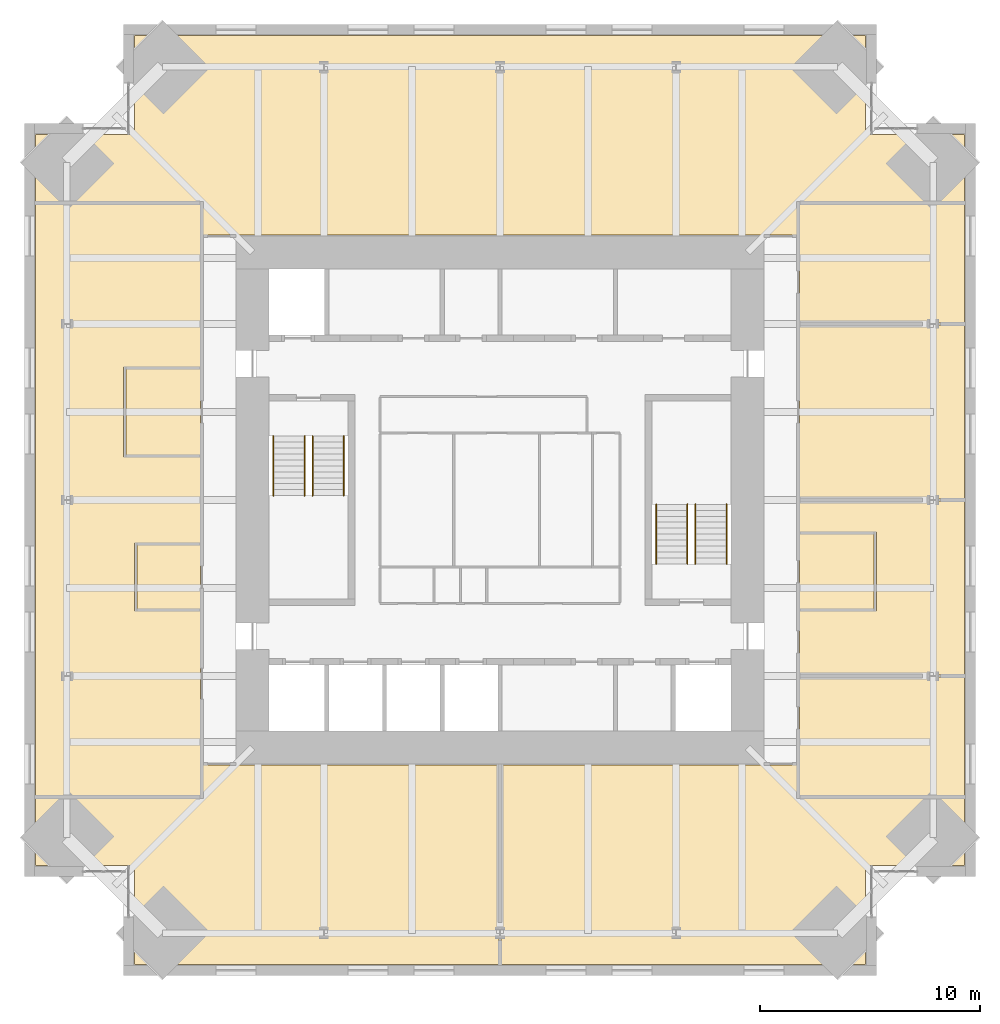
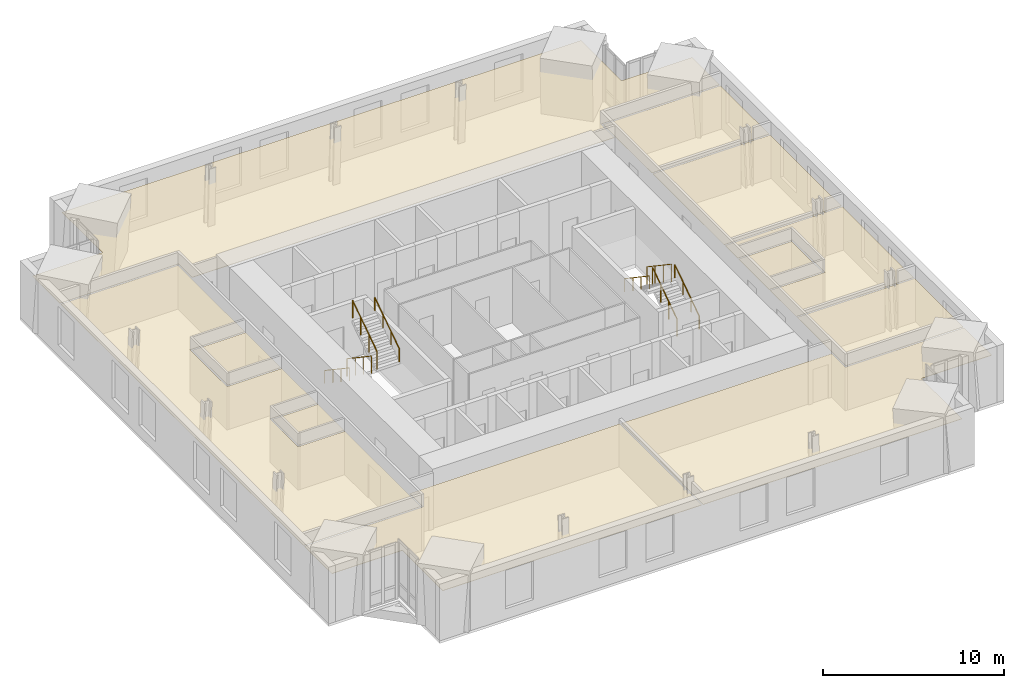
# One storey, part 16 of 16: 11 coverings, 8 railings.
"""IFC4 building model written with IfcOpenShell, lengths in metres."""

from ifc_helpers import new_model, si_unit, direction, frame, origin, origin_2d, place, context, subcontext, project, spatial, polyline, circle, outline, extrude, material, layer, layer_set, type_object, element, save


model = new_model("IFC4")

# Units and contexts
model_context = context("Model", 3, precision=1e-05, world=origin(), true_north=direction((0.0, 1.0)))
body_context = subcontext(model_context, "Body", "Model", "MODEL_VIEW")
ifc_project = project(units=[si_unit("LENGTHUNIT", "METRE"), si_unit("AREAUNIT", "SQUARE_METRE"), si_unit("VOLUMEUNIT", "CUBIC_METRE"), si_unit("PLANEANGLEUNIT", "RADIAN"), si_unit("MASSUNIT", "GRAM", prefix="KILO")], contexts=[model_context])

# Site, building, storey
site_placement = place(None, origin())
site = spatial("IfcSite", under=ifc_project, at=site_placement, CompositionType="ELEMENT")
building_placement = place(site_placement, origin())
building = spatial("IfcBuilding", under=site, at=building_placement, Name="Peilmerk Tower", CompositionType="ELEMENT")
storey_placement = place(building_placement, frame((0.0, 0.0, 277.800048828125)))
storey = spatial("IfcBuildingStorey", under=building, at=storey_placement, Name="L62", CompositionType="ELEMENT", Elevation=277.800048828125)

# Coverings
ifc_material_1 = material(Name="Mineral fibre ceiling tiles", Category="mineral")
ifc_layer = layer(ifc_material_1, 0.02490234375)
ifc_layer_set = layer_set([ifc_layer], Name="Mineral fibre ceiling tiles")
covering_type = type_object("IfcCoveringType", Name="CL1 25 suspended ceiling", PredefinedType="CEILING", material=ifc_layer_set)
covering_1_placement = place(storey_placement, frame((0.0, 0.0, 2.905029296875)))
element("IfcCovering", 1, at=covering_1_placement, inside=storey, type_object=covering_type, Name="Suspended ceiling Client suite", PredefinedType="CEILING", context=body_context, shape_type="SweptSolid", body=[
    extrude(outline(polyline([(-21.10009765625, 16.60009765625), (-21.10009765625, 13.550048828125), (-13.5, 13.550048828125), (-13.5, 12.050048828125), (13.5, 12.050048828125), (13.5, 13.550048828125), (21.10009765625, 13.550048828125), (21.10009765625, 16.60009765625), (16.60009765625, 16.60009765625), (16.60009765625, 21.10009765625), (-16.60009765625, 21.10009765625), (-16.60009765625, 16.60009765625), (-21.10009765625, 16.60009765625)])), origin(), (0.0, 0.0, 1.0), 0.02490234375),
])
covering_2_placement = place(storey_placement, frame((0.0, 0.0, 2.905029296875)))
element("IfcCovering", 2, at=covering_2_placement, inside=storey, type_object=covering_type, Name="Suspended ceiling Open workspace", PredefinedType="CEILING", context=body_context, shape_type="SweptSolid", body=[
    extrude(outline(polyline([(-16.60009765625, -21.10009765625), (-0.050048828125, -21.10009765625), (-0.050048828125, -12.050048828125), (-13.5, -12.050048828125), (-13.5, -13.550048828125), (-21.10009765625, -13.550048828125), (-21.10009765625, -16.60009765625), (-16.60009765625, -16.60009765625), (-16.60009765625, -21.10009765625)])), origin(), (0.0, 0.0, 1.0), 0.02490234375),
])
covering_3_placement = place(storey_placement, frame((0.0, 0.0, 2.905029296875)))
element("IfcCovering", 3, at=covering_3_placement, inside=storey, type_object=covering_type, Name="Suspended ceiling Client suite", PredefinedType="CEILING", context=body_context, shape_type="SweptSolid", body=[
    extrude(outline(polyline([(0.050048828125, -21.10009765625), (16.60009765625, -21.10009765625), (16.60009765625, -16.60009765625), (21.10009765625, -16.60009765625), (21.10009765625, -13.550048828125), (13.5, -13.550048828125), (13.5, -12.050048828125), (0.050048828125, -12.050048828125), (0.050048828125, -21.10009765625)])), origin(), (0.0, 0.0, 1.0), 0.02490234375),
])
covering_4_placement = place(storey_placement, frame((0.0, 0.0, 2.905029296875)))
element("IfcCovering", 4, at=covering_4_placement, inside=storey, type_object=covering_type, Name="Suspended ceiling Executive office", PredefinedType="CEILING", context=body_context, shape_type="SweptSolid", body=[
    extrude(outline(polyline([(21.10009765625, -13.449951171875), (21.10009765625, -8.050048828125), (13.60009765625, -8.050048828125), (13.60009765625, -13.449951171875), (21.10009765625, -13.449951171875)])), origin(), (0.0, 0.0, 1.0), 0.02490234375),
])
covering_5_placement = place(storey_placement, frame((0.0, 0.0, 2.905029296875)))
element("IfcCovering", 5, at=covering_5_placement, inside=storey, type_object=covering_type, Name="Suspended ceiling Executive office", PredefinedType="CEILING", context=body_context, shape_type="SweptSolid", body=[
    extrude(outline(polyline([(13.60009765625, -7.949951171875), (21.10009765625, -7.949951171875), (21.10009765625, -0.050048828125), (13.60009765625, -0.050048828125), (13.60009765625, -1.449951171875), (17.10009765625, -1.449951171875), (17.10009765625, -5.050048828125), (13.60009765625, -5.050048828125), (13.60009765625, -7.949951171875)])), origin(), (0.0, 0.0, 1.0), 0.02490234375),
])
covering_6_placement = place(storey_placement, frame((0.0, 0.0, 2.905029296875)))
element("IfcCovering", 6, at=covering_6_placement, inside=storey, type_object=covering_type, Name="Suspended ceiling Executive office", PredefinedType="CEILING", context=body_context, shape_type="SweptSolid", body=[
    extrude(outline(polyline([(21.10009765625, 0.050048828125), (21.10009765625, 7.949951171875), (13.60009765625, 7.949951171875), (13.60009765625, 0.050048828125), (21.10009765625, 0.050048828125)])), origin(), (0.0, 0.0, 1.0), 0.02490234375),
])
covering_7_placement = place(storey_placement, frame((0.0, 0.0, 2.905029296875)))
element("IfcCovering", 7, at=covering_7_placement, inside=storey, type_object=covering_type, Name="Suspended ceiling Executive office", PredefinedType="CEILING", context=body_context, shape_type="SweptSolid", body=[
    extrude(outline(polyline([(21.10009765625, 8.050048828125), (21.10009765625, 13.449951171875), (13.60009765625, 13.449951171875), (13.60009765625, 8.050048828125), (21.10009765625, 8.050048828125)])), origin(), (0.0, 0.0, 1.0), 0.02490234375),
])
covering_8_placement = place(storey_placement, frame((0.0, 0.0, 2.905029296875)))
element("IfcCovering", 8, at=covering_8_placement, inside=storey, type_object=covering_type, Name="Suspended ceiling Pantry", PredefinedType="CEILING", context=body_context, shape_type="SweptSolid", body=[
    extrude(outline(polyline([(17.0, -4.949951171875), (17.0, -1.550048828125), (13.60009765625, -1.550048828125), (13.60009765625, -4.949951171875), (17.0, -4.949951171875)])), origin(), (0.0, 0.0, 1.0), 0.02490234375),
])
covering_9_placement = place(storey_placement, frame((0.0, 0.0, 2.905029296875)))
element("IfcCovering", 9, at=covering_9_placement, inside=storey, type_object=covering_type, Name="Suspended ceiling Client suite", PredefinedType="CEILING", context=body_context, shape_type="SweptSolid", body=[
    extrude(outline(polyline([(-13.60009765625, 13.449951171875), (-21.10009765625, 13.449951171875), (-21.10009765625, -13.449951171875), (-13.60009765625, -13.449951171875), (-13.60009765625, -5.050048828125), (-16.60009765625, -5.050048828125), (-16.60009765625, -1.949951171875), (-13.60009765625, -1.949951171875), (-13.60009765625, 1.949951171875), (-17.10009765625, 1.949951171875), (-17.10009765625, 6.050048828125), (-13.60009765625, 6.050048828125), (-13.60009765625, 13.449951171875)])), origin(), (0.0, 0.0, 1.0), 0.02490234375),
])
covering_10_placement = place(storey_placement, frame((0.0, 0.0, 2.905029296875)))
element("IfcCovering", 10, at=covering_10_placement, inside=storey, type_object=covering_type, Name="Suspended ceiling Meeting room", PredefinedType="CEILING", context=body_context, shape_type="SweptSolid", body=[
    extrude(outline(polyline([(-13.60009765625, 2.050048828125), (-13.60009765625, 5.949951171875), (-17.0, 5.949951171875), (-17.0, 2.050048828125), (-13.60009765625, 2.050048828125)])), origin(), (0.0, 0.0, 1.0), 0.02490234375),
])
covering_11_placement = place(storey_placement, frame((0.0, 0.0, 2.905029296875)))
element("IfcCovering", 11, at=covering_11_placement, inside=storey, type_object=covering_type, Name="Suspended ceiling Quiet room", PredefinedType="CEILING", context=body_context, shape_type="SweptSolid", body=[
    extrude(outline(polyline([(-13.60009765625, -4.949951171875), (-13.60009765625, -2.050048828125), (-16.5, -2.050048828125), (-16.5, -4.949951171875), (-13.60009765625, -4.949951171875)])), origin(), (0.0, 0.0, 1.0), 0.02490234375),
])

# Railings
ifc_material_2 = material(Name="Steel flat bar balustrade", Category="steel")
railing_type_1 = type_object("IfcRailingType", Name="GR1 1200 stair guard", PredefinedType="GUARDRAIL", material=ifc_material_2)
railing_1_placement = place(storey_placement, frame((-8.8798828125, 2.89990234375, 0.181884765625)))
element("IfcRailing", 12, at=railing_1_placement, inside=storey, type_object=railing_type_1, Name="Guard stair 1 L62", PredefinedType="GUARDRAIL", context=body_context, shape_type="SweptSolid", body=[
    extrude(circle(Radius=0.02392578125, at=origin_2d()), frame((0.0, 0.0, 1.17578125), z_axis=(0.0, -0.829468130872, 0.55855404382), x_axis=(1.0, 0.0, 0.0)), (0.0, 0.0, 1.0), 3.255126953125),
    extrude(circle(Radius=0.02099609375, at=origin_2d()), origin(), (0.0, 0.0, 1.0), 1.15185546875),
    extrude(circle(Radius=0.02099609375, at=origin_2d()), frame((0.0, -0.89990234375, 0.60595703125)), (0.0, 0.0, 1.0), 1.15185546875),
    extrude(circle(Radius=0.02099609375, at=origin_2d()), frame((0.0, -1.800048828125, 1.212158203125)), (0.0, 0.0, 1.0), 1.15185546875),
    extrude(circle(Radius=0.02099609375, at=origin_2d()), frame((0.0, -2.699951171875, 1.818115234375)), (0.0, 0.0, 1.0), 1.15185546875),
])
for number, where, name in (
    (13, (-8.52001953125, 0.199951171875, 2.181884765625), "Guard stair 1 L62"),
    (14, (8.8798828125, -2.89990234375, 0.181884765625), "Guard stair 2 L62"),
):
    element("IfcRailing", number, at=place(storey_placement, frame(where)), inside=storey, type_object=railing_type_1, Name=name, PredefinedType="GUARDRAIL", context=body_context, shape_type="SweptSolid", body=[
        extrude(circle(Radius=0.02392578125, at=origin_2d()), frame((0.0, 0.0, 1.17578125), z_axis=(0.0, 0.829468130872, 0.55855404382), x_axis=(-1.0, 0.0, 0.0)), (0.0, 0.0, 1.0), 3.255126953125),
        extrude(circle(Radius=0.02099609375, at=origin_2d()), origin(), (0.0, 0.0, 1.0), 1.15185546875),
        extrude(circle(Radius=0.02099609375, at=origin_2d()), frame((0.0, 0.89990234375, 0.60595703125)), (0.0, 0.0, 1.0), 1.15185546875),
        extrude(circle(Radius=0.02099609375, at=origin_2d()), frame((0.0, 1.800048828125, 1.212158203125)), (0.0, 0.0, 1.0), 1.15185546875),
        extrude(circle(Radius=0.02099609375, at=origin_2d()), frame((0.0, 2.699951171875, 1.818115234375)), (0.0, 0.0, 1.0), 1.15185546875),
    ])
railing_2_placement = place(storey_placement, frame((8.52001953125, -0.199951171875, 2.181884765625)))
element("IfcRailing", 15, at=railing_2_placement, inside=storey, type_object=railing_type_1, Name="Guard stair 2 L62", PredefinedType="GUARDRAIL", context=body_context, shape_type="SweptSolid", body=[
    extrude(circle(Radius=0.02392578125, at=origin_2d()), frame((0.0, 0.0, 1.17578125), z_axis=(0.0, -0.829468130872, 0.55855404382), x_axis=(1.0, 0.0, 0.0)), (0.0, 0.0, 1.0), 3.255126953125),
    extrude(circle(Radius=0.02099609375, at=origin_2d()), origin(), (0.0, 0.0, 1.0), 1.15185546875),
    extrude(circle(Radius=0.02099609375, at=origin_2d()), frame((0.0, -0.89990234375, 0.60595703125)), (0.0, 0.0, 1.0), 1.15185546875),
    extrude(circle(Radius=0.02099609375, at=origin_2d()), frame((0.0, -1.800048828125, 1.212158203125)), (0.0, 0.0, 1.0), 1.15185546875),
    extrude(circle(Radius=0.02099609375, at=origin_2d()), frame((0.0, -2.699951171875, 1.818115234375)), (0.0, 0.0, 1.0), 1.15185546875),
])
ifc_material_3 = material(Name="Stainless steel tube", Category="steel")
railing_type_2 = type_object("IfcRailingType", Name="HR1 900 stair handrail", PredefinedType="HANDRAIL", material=ifc_material_3)
railing_3_placement = place(storey_placement, frame((-10.300048828125, 2.89990234375, 0.181884765625)))
element("IfcRailing", 16, at=railing_3_placement, inside=storey, type_object=railing_type_2, Name="Handrail stair 1 L62", PredefinedType="HANDRAIL", context=body_context, shape_type="SweptSolid", body=[
    extrude(circle(Radius=0.02392578125, at=origin_2d()), frame((0.0, 0.0, 0.8759765625), z_axis=(0.0, -0.829468130872, 0.55855404382), x_axis=(1.0, 0.0, 0.0)), (0.0, 0.0, 1.0), 3.255126953125),
    extrude(circle(Radius=0.02099609375, at=origin_2d()), origin(), (0.0, 0.0, 1.0), 0.851806640625),
    extrude(circle(Radius=0.02099609375, at=origin_2d()), frame((0.0, -0.89990234375, 0.60595703125)), (0.0, 0.0, 1.0), 0.851806640625),
    extrude(circle(Radius=0.02099609375, at=origin_2d()), frame((0.0, -1.800048828125, 1.212158203125)), (0.0, 0.0, 1.0), 0.851806640625),
    extrude(circle(Radius=0.02099609375, at=origin_2d()), frame((0.0, -2.699951171875, 1.818115234375)), (0.0, 0.0, 1.0), 0.851806640625),
])
for number, where, name in (
    (17, (-7.10009765625, 0.199951171875, 2.181884765625), "Handrail stair 1 L62"),
    (18, (10.300048828125, -2.89990234375, 0.181884765625), "Handrail stair 2 L62"),
):
    element("IfcRailing", number, at=place(storey_placement, frame(where)), inside=storey, type_object=railing_type_2, Name=name, PredefinedType="HANDRAIL", context=body_context, shape_type="SweptSolid", body=[
        extrude(circle(Radius=0.02392578125, at=origin_2d()), frame((0.0, 0.0, 0.8759765625), z_axis=(0.0, 0.829468130872, 0.55855404382), x_axis=(-1.0, 0.0, 0.0)), (0.0, 0.0, 1.0), 3.255126953125),
        extrude(circle(Radius=0.02099609375, at=origin_2d()), origin(), (0.0, 0.0, 1.0), 0.851806640625),
        extrude(circle(Radius=0.02099609375, at=origin_2d()), frame((0.0, 0.89990234375, 0.60595703125)), (0.0, 0.0, 1.0), 0.851806640625),
        extrude(circle(Radius=0.02099609375, at=origin_2d()), frame((0.0, 1.800048828125, 1.212158203125)), (0.0, 0.0, 1.0), 0.851806640625),
        extrude(circle(Radius=0.02099609375, at=origin_2d()), frame((0.0, 2.699951171875, 1.818115234375)), (0.0, 0.0, 1.0), 0.851806640625),
    ])
railing_4_placement = place(storey_placement, frame((7.10009765625, -0.199951171875, 2.181884765625)))
element("IfcRailing", 19, at=railing_4_placement, inside=storey, type_object=railing_type_2, Name="Handrail stair 2 L62", PredefinedType="HANDRAIL", context=body_context, shape_type="SweptSolid", body=[
    extrude(circle(Radius=0.02392578125, at=origin_2d()), frame((0.0, 0.0, 0.8759765625), z_axis=(0.0, -0.829468130872, 0.55855404382), x_axis=(1.0, 0.0, 0.0)), (0.0, 0.0, 1.0), 3.255126953125),
    extrude(circle(Radius=0.02099609375, at=origin_2d()), origin(), (0.0, 0.0, 1.0), 0.851806640625),
    extrude(circle(Radius=0.02099609375, at=origin_2d()), frame((0.0, -0.89990234375, 0.60595703125)), (0.0, 0.0, 1.0), 0.851806640625),
    extrude(circle(Radius=0.02099609375, at=origin_2d()), frame((0.0, -1.800048828125, 1.212158203125)), (0.0, 0.0, 1.0), 0.851806640625),
    extrude(circle(Radius=0.02099609375, at=origin_2d()), frame((0.0, -2.699951171875, 1.818115234375)), (0.0, 0.0, 1.0), 0.851806640625),
])

save(model, "model.ifc")
